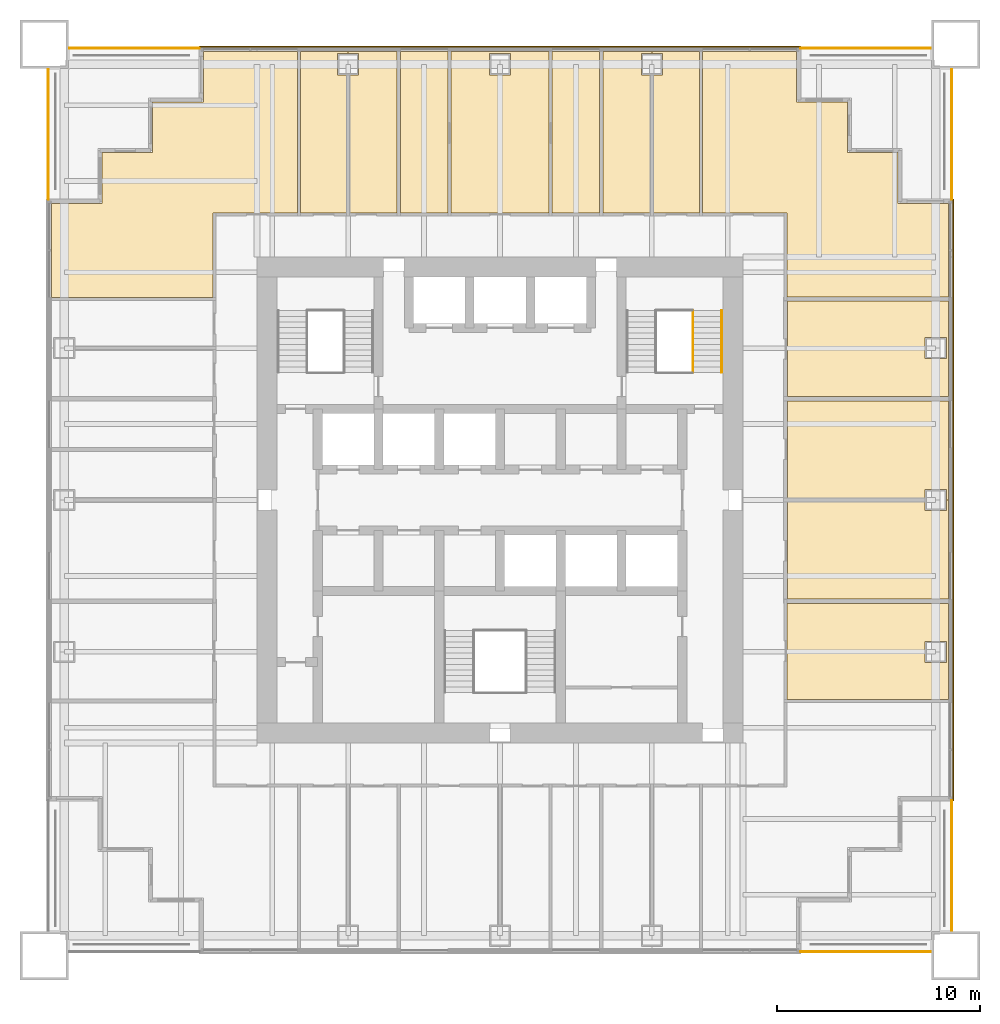
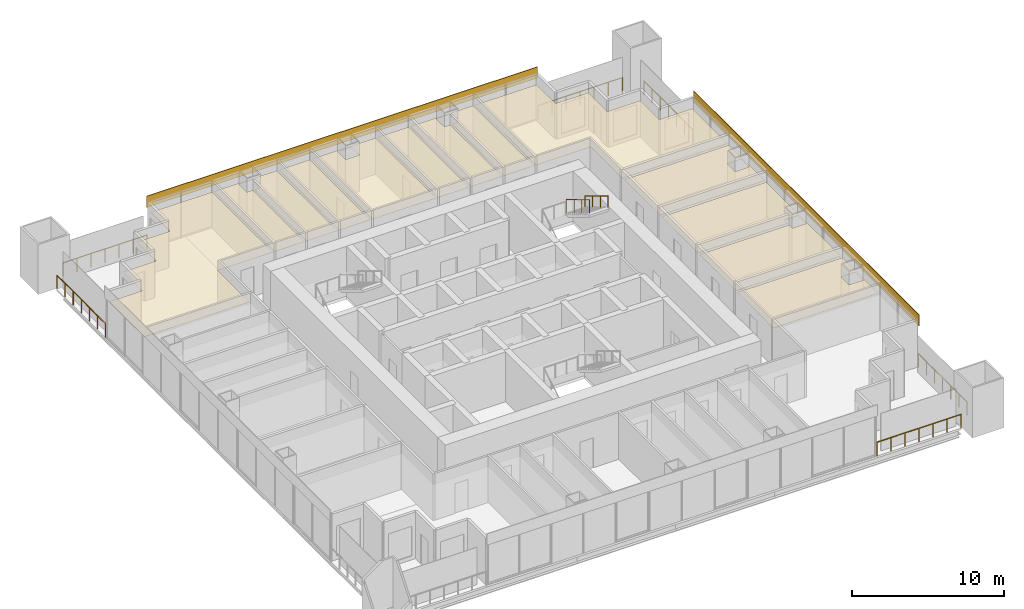
# One storey, part 14 of 14: 15 coverings, 8 railings.
"""IFC4 building model written with IfcOpenShell, lengths in metres."""

from ifc_helpers import new_model, si_unit, direction, frame, origin, origin_2d, place, context, subcontext, project, spatial, polyline, rectangle, circle, outline, extrude, material, layer, layer_set, type_object, element, save


model = new_model("IFC4")

# Units and contexts
model_context = context("Model", 3, precision=1e-05, world=origin(), true_north=direction((0.0, 1.0)))
body_context = subcontext(model_context, "Body", "Model", "MODEL_VIEW")
ifc_project = project(units=[si_unit("LENGTHUNIT", "METRE"), si_unit("AREAUNIT", "SQUARE_METRE"), si_unit("VOLUMEUNIT", "CUBIC_METRE"), si_unit("PLANEANGLEUNIT", "RADIAN"), si_unit("MASSUNIT", "GRAM", prefix="KILO")], contexts=[model_context])

# Site, building, storey
site_placement = place(None, origin())
site = spatial("IfcSite", under=ifc_project, at=site_placement, CompositionType="ELEMENT")
building_placement = place(site_placement, origin())
building = spatial("IfcBuilding", under=site, at=building_placement, Name="Tarangal Relay Tower", CompositionType="ELEMENT")
storey_placement = place(building_placement, frame((0.0, 0.0, 249.89990234375)))
storey = spatial("IfcBuildingStorey", under=building, at=storey_placement, Name="L54", CompositionType="ELEMENT", Elevation=249.89990234375)

# Coverings
ifc_material_1 = material(Name="Black anodised aluminium cladding", Category="aluminium")
ifc_layer_1 = layer(ifc_material_1, 0.050048828125)
ifc_layer_set_1 = layer_set([ifc_layer_1], Name="Black metal spandrel band")
covering_type_1 = type_object("IfcCoveringType", Name="Black metal spandrel band", PredefinedType="CLADDING", material=ifc_layer_set_1)
for number, where, z_axis, x_axis, name in (
    (1, (0.0, 22.375, 3.250244140625), (0.0, 0.0, 1.0), (1.0, 0.0, 0.0), "Spandrel band SB1 N L54"),
    (2, (22.375, 0.0, 3.250244140625), (0.0, 0.0, 1.0), (0.0, -1.0, 0.0), "Spandrel band SB1 E L54"),
):
    element("IfcCovering", number, at=place(storey_placement, frame(where, z_axis=z_axis, x_axis=x_axis)), inside=storey, type_object=covering_type_1, Name=name, PredefinedType="CLADDING", context=body_context, shape_type="SweptSolid", body=[
        extrude(rectangle(XDim=29.699951171875, YDim=0.050048828125, at=origin_2d()), origin(), (0.0, 0.0, 1.0), 0.89990234375),
    ])

# Railings
ifc_material_2 = material(Name="Steel guard, black finish", Category="steel")
railing_type_1 = type_object("IfcRailingType", Name="Stair guard 1100", PredefinedType="GUARDRAIL", material=ifc_material_2)
railing_1_placement = place(storey_placement, frame((9.530029296875, 9.346923828125, 2.166748046875)))
element("IfcRailing", 3, at=railing_1_placement, inside=storey, type_object=railing_type_1, Name="Stair ST-B guard GR1 L54 flight 2", PredefinedType="GUARDRAIL", context=body_context, shape_type="SweptSolid", body=[
    extrude(circle(Radius=0.02392578125, at=origin_2d()), frame((0.0, 0.0, 1.076171875), z_axis=(0.0, -0.85685617095, 0.515555527858), x_axis=(1.0, 0.0, 0.0)), (0.0, 0.0, 1.0), 3.555908203125),
    extrude(circle(Radius=0.02099609375, at=origin_2d()), origin(), (0.0, 0.0, 1.0), 1.052001953125),
    extrude(circle(Radius=0.02099609375, at=origin_2d()), frame((0.0, -1.015625, 0.611083984375)), (0.0, 0.0, 1.0), 1.052001953125),
    extrude(circle(Radius=0.02099609375, at=origin_2d()), frame((0.0, -2.03125, 1.22216796875)), (0.0, 0.0, 1.0), 1.052001953125),
    extrude(circle(Radius=0.02099609375, at=origin_2d()), frame((0.0, -3.046875, 1.833251953125)), (0.0, 0.0, 1.0), 1.052001953125),
])
ifc_material_3 = material(Name="Steel handrail, black finish", Category="steel")
railing_type_2 = type_object("IfcRailingType", Name="Stair handrail 900", PredefinedType="HANDRAIL", material=ifc_material_3)
railing_2_placement = place(storey_placement, frame((10.93994140625, 9.346923828125, 2.166748046875)))
element("IfcRailing", 4, at=railing_2_placement, inside=storey, type_object=railing_type_2, Name="Stair ST-B handrail HR1 L54 flight 2", PredefinedType="HANDRAIL", context=body_context, shape_type="SweptSolid", body=[
    extrude(circle(Radius=0.02392578125, at=origin_2d()), frame((0.0, 0.0, 0.8759765625), z_axis=(0.0, -0.85685617095, 0.515555527858), x_axis=(1.0, 0.0, 0.0)), (0.0, 0.0, 1.0), 3.555908203125),
    extrude(circle(Radius=0.02099609375, at=origin_2d()), origin(), (0.0, 0.0, 1.0), 0.851806640625),
    extrude(circle(Radius=0.02099609375, at=origin_2d()), frame((0.0, -1.015625, 0.611083984375)), (0.0, 0.0, 1.0), 0.851806640625),
    extrude(circle(Radius=0.02099609375, at=origin_2d()), frame((0.0, -2.03125, 1.22216796875)), (0.0, 0.0, 1.0), 0.851806640625),
    extrude(circle(Radius=0.02099609375, at=origin_2d()), frame((0.0, -3.046875, 1.833251953125)), (0.0, 0.0, 1.0), 0.851806640625),
])

# Coverings
ifc_material_4 = material(Name="Mineral fibre ceiling tiles", Category="gypsum")
ifc_layer_2 = layer(ifc_material_4, 0.02001953125)
ifc_layer_set_2 = layer_set([ifc_layer_2], Name="Suspended ceiling")
covering_type_2 = type_object("IfcCoveringType", Name="Suspended ceiling", PredefinedType="CEILING", material=ifc_layer_set_2)
covering_1_placement = place(storey_placement, frame((0.0, 0.0, 2.900146484375)))
element("IfcCovering", 5, at=covering_1_placement, inside=storey, type_object=covering_type_2, Name="Suspended ceiling CL1 L54-02", PredefinedType="CEILING", context=body_context, shape_type="SweptSolid", body=[
    extrude(outline(polyline([(-7.5, 22.14990234375), (-9.842041015625, 22.14990234375), (-9.842041015625, 14.175048828125), (-7.574951171875, 14.175048828125), (-7.574951171875, 20.989990234375), (-8.02490234375, 20.989990234375), (-8.02490234375, 22.0400390625), (-7.5, 22.0400390625), (-7.5, 22.14990234375)])), origin(), (0.0, 0.0, 1.0), 0.02001953125),
])
covering_2_placement = place(storey_placement, frame((0.0, 0.0, 2.900146484375)))
element("IfcCovering", 6, at=covering_2_placement, inside=storey, type_object=covering_type_2, Name="Suspended ceiling CL1 L54-03", PredefinedType="CEILING", context=body_context, shape_type="SweptSolid", body=[
    extrude(outline(polyline([(-5.074951171875, 22.14990234375), (-7.5, 22.14990234375), (-7.5, 22.0400390625), (-6.97509765625, 22.0400390625), (-6.97509765625, 20.989990234375), (-7.425048828125, 20.989990234375), (-7.425048828125, 14.175048828125), (-5.074951171875, 14.175048828125), (-5.074951171875, 22.14990234375)])), origin(), (0.0, 0.0, 1.0), 0.02001953125),
])
covering_3_placement = place(storey_placement, frame((0.0, 0.0, 2.900146484375)))
element("IfcCovering", 7, at=covering_3_placement, inside=storey, type_object=covering_type_2, Name="Suspended ceiling CL1 L54-04", PredefinedType="CEILING", context=body_context, shape_type="SweptSolid", body=[
    extrude(outline(polyline([(-4.925048828125, 22.14990234375), (-4.925048828125, 14.175048828125), (-2.574951171875, 14.175048828125), (-2.574951171875, 22.14990234375), (-4.925048828125, 22.14990234375)])), origin(), (0.0, 0.0, 1.0), 0.02001953125),
])
covering_4_placement = place(storey_placement, frame((0.0, 0.0, 2.900146484375)))
element("IfcCovering", 8, at=covering_4_placement, inside=storey, type_object=covering_type_2, Name="Suspended ceiling CL1 L54-05", PredefinedType="CEILING", context=body_context, shape_type="SweptSolid", body=[
    extrude(outline(polyline([(2.425048828125, 22.14990234375), (-2.425048828125, 22.14990234375), (-2.425048828125, 14.175048828125), (2.425048828125, 14.175048828125), (2.425048828125, 22.14990234375)]), holes=[polyline([(0.52490234375, 22.0400390625), (-0.52490234375, 22.0400390625), (-0.52490234375, 20.989990234375), (0.52490234375, 20.989990234375), (0.52490234375, 22.0400390625)])]), origin(), (0.0, 0.0, 1.0), 0.02001953125),
])
covering_5_placement = place(storey_placement, frame((0.0, 0.0, 2.900146484375)))
element("IfcCovering", 9, at=covering_5_placement, inside=storey, type_object=covering_type_2, Name="Suspended ceiling CL1 L54-06", PredefinedType="CEILING", context=body_context, shape_type="SweptSolid", body=[
    extrude(outline(polyline([(2.574951171875, 22.14990234375), (2.574951171875, 14.175048828125), (4.925048828125, 14.175048828125), (4.925048828125, 22.14990234375), (2.574951171875, 22.14990234375)])), origin(), (0.0, 0.0, 1.0), 0.02001953125),
])
covering_6_placement = place(storey_placement, frame((0.0, 0.0, 2.900146484375)))
element("IfcCovering", 10, at=covering_6_placement, inside=storey, type_object=covering_type_2, Name="Suspended ceiling CL1 L54-07", PredefinedType="CEILING", context=body_context, shape_type="SweptSolid", body=[
    extrude(outline(polyline([(7.5, 22.14990234375), (5.074951171875, 22.14990234375), (5.074951171875, 14.175048828125), (7.425048828125, 14.175048828125), (7.425048828125, 20.989990234375), (6.97509765625, 20.989990234375), (6.97509765625, 22.0400390625), (7.5, 22.0400390625), (7.5, 22.14990234375)])), origin(), (0.0, 0.0, 1.0), 0.02001953125),
])
covering_7_placement = place(storey_placement, frame((0.0, 0.0, 2.900146484375)))
element("IfcCovering", 11, at=covering_7_placement, inside=storey, type_object=covering_type_2, Name="Suspended ceiling CL1 L54-08", PredefinedType="CEILING", context=body_context, shape_type="SweptSolid", body=[
    extrude(outline(polyline([(9.842041015625, 22.14990234375), (7.5, 22.14990234375), (7.5, 22.0400390625), (8.02490234375, 22.0400390625), (8.02490234375, 20.989990234375), (7.574951171875, 20.989990234375), (7.574951171875, 14.175048828125), (9.842041015625, 14.175048828125), (9.842041015625, 22.14990234375)])), origin(), (0.0, 0.0, 1.0), 0.02001953125),
])
covering_8_placement = place(storey_placement, frame((0.0, 0.0, 2.900146484375)))
element("IfcCovering", 12, at=covering_8_placement, inside=storey, type_object=covering_type_2, Name="Suspended ceiling CL1 L54-09", PredefinedType="CEILING", context=body_context, shape_type="SweptSolid", body=[
    extrude(outline(polyline([(22.14990234375, 5.10009765625), (22.14990234375, 9.81689453125), (14.199951171875, 9.81689453125), (14.199951171875, 5.10009765625), (22.14990234375, 5.10009765625)]), holes=[polyline([(22.0400390625, 8.02490234375), (20.989990234375, 8.02490234375), (20.989990234375, 6.97509765625), (22.0400390625, 6.97509765625), (22.0400390625, 8.02490234375)])]), origin(), (0.0, 0.0, 1.0), 0.02001953125),
])
covering_9_placement = place(storey_placement, frame((0.0, 0.0, 2.900146484375)))
element("IfcCovering", 13, at=covering_9_placement, inside=storey, type_object=covering_type_2, Name="Suspended ceiling CL1 L54-10", PredefinedType="CEILING", context=body_context, shape_type="SweptSolid", body=[
    extrude(outline(polyline([(22.14990234375, 0.0), (22.14990234375, 4.89990234375), (14.199951171875, 4.89990234375), (14.199951171875, 0.10009765625), (20.989990234375, 0.10009765625), (20.989990234375, 0.52490234375), (22.0400390625, 0.52490234375), (22.0400390625, 0.0), (22.14990234375, 0.0)])), origin(), (0.0, 0.0, 1.0), 0.02001953125),
])
covering_10_placement = place(storey_placement, frame((0.0, 0.0, 2.900146484375)))
element("IfcCovering", 14, at=covering_10_placement, inside=storey, type_object=covering_type_2, Name="Suspended ceiling CL1 L54-11", PredefinedType="CEILING", context=body_context, shape_type="SweptSolid", body=[
    extrude(outline(polyline([(22.14990234375, -4.89990234375), (22.14990234375, 0.0), (22.0400390625, 0.0), (22.0400390625, -0.52490234375), (20.989990234375, -0.52490234375), (20.989990234375, -0.10009765625), (14.199951171875, -0.10009765625), (14.199951171875, -4.89990234375), (22.14990234375, -4.89990234375)])), origin(), (0.0, 0.0, 1.0), 0.02001953125),
])
covering_11_placement = place(storey_placement, frame((0.0, 0.0, 2.900146484375)))
element("IfcCovering", 15, at=covering_11_placement, inside=storey, type_object=covering_type_2, Name="Suspended ceiling CL1 L54-12", PredefinedType="CEILING", context=body_context, shape_type="SweptSolid", body=[
    extrude(outline(polyline([(22.14990234375, -9.842041015625), (22.14990234375, -5.10009765625), (14.175048828125, -5.10009765625), (14.175048828125, -9.842041015625), (22.14990234375, -9.842041015625)]), holes=[polyline([(22.0400390625, -6.97509765625), (20.989990234375, -6.97509765625), (20.989990234375, -8.02490234375), (22.0400390625, -8.02490234375), (22.0400390625, -6.97509765625)])]), origin(), (0.0, 0.0, 1.0), 0.02001953125),
])
covering_12_placement = place(storey_placement, frame((0.0, 0.0, 2.900146484375)))
element("IfcCovering", 16, at=covering_12_placement, inside=storey, type_object=covering_type_2, Name="Suspended ceiling CL1 L54-26", PredefinedType="CEILING", context=body_context, shape_type="SweptSolid", body=[
    extrude(outline(polyline([(14.64990234375, 22.14990234375), (9.991943359375, 22.14990234375), (9.991943359375, 14.175048828125), (14.175048828125, 14.175048828125), (14.175048828125, 10.01708984375), (22.14990234375, 10.01708984375), (22.14990234375, 14.64990234375), (19.64990234375, 14.64990234375), (19.64990234375, 17.14990234375), (17.14990234375, 17.14990234375), (17.14990234375, 19.64990234375), (14.64990234375, 19.64990234375), (14.64990234375, 22.14990234375)])), origin(), (0.0, 0.0, 1.0), 0.02001953125),
])
covering_13_placement = place(storey_placement, frame((0.0, 0.0, 2.900146484375)))
element("IfcCovering", 17, at=covering_13_placement, inside=storey, type_object=covering_type_2, Name="Suspended ceiling CL1 L54-29", PredefinedType="CEILING", context=body_context, shape_type="SweptSolid", body=[
    extrude(outline(polyline([(-19.64990234375, 14.64990234375), (-22.14990234375, 14.64990234375), (-22.14990234375, 9.991943359375), (-14.175048828125, 9.991943359375), (-14.175048828125, 14.175048828125), (-9.991943359375, 14.175048828125), (-9.991943359375, 22.14990234375), (-14.64990234375, 22.14990234375), (-14.64990234375, 19.64990234375), (-17.14990234375, 19.64990234375), (-17.14990234375, 17.14990234375), (-19.64990234375, 17.14990234375), (-19.64990234375, 14.64990234375)])), origin(), (0.0, 0.0, 1.0), 0.02001953125),
])

# Railings
ifc_material_5 = material(Name="Black steel guard with glass infill", Category="steel")
railing_type_3 = type_object("IfcRailingType", Name="Terrace guard 1100", PredefinedType="GUARDRAIL", material=ifc_material_5)
railing_3_placement = place(storey_placement, frame((14.85009765625, 22.300048828125, 0.0)))
element("IfcRailing", 18, at=railing_3_placement, inside=storey, type_object=railing_type_3, Name="Terrace guard GR2 NE L54", PredefinedType="GUARDRAIL", context=body_context, shape_type="SweptSolid", body=[
    extrude(circle(Radius=0.02392578125, at=origin_2d()), frame((0.0, 0.0, 1.076171875), z_axis=(1.0, 0.0, 0.0), x_axis=(0.0, 1.0, 0.0)), (0.0, 0.0, 1.0), 6.39990234375),
    extrude(circle(Radius=0.02099609375, at=origin_2d()), origin(), (0.0, 0.0, 1.0), 1.052001953125),
    extrude(circle(Radius=0.02099609375, at=origin_2d()), frame((1.066650390625, 0.0, 0.0)), (0.0, 0.0, 1.0), 1.052001953125),
    extrude(circle(Radius=0.02099609375, at=origin_2d()), frame((2.13330078125, 0.0, 0.0)), (0.0, 0.0, 1.0), 1.052001953125),
    extrude(circle(Radius=0.02099609375, at=origin_2d()), frame((3.199951171875, 0.0, 0.0)), (0.0, 0.0, 1.0), 1.052001953125),
    extrude(circle(Radius=0.02099609375, at=origin_2d()), frame((4.2666015625, 0.0, 0.0)), (0.0, 0.0, 1.0), 1.052001953125),
    extrude(circle(Radius=0.02099609375, at=origin_2d()), frame((5.333251953125, 0.0, 0.0)), (0.0, 0.0, 1.0), 1.052001953125),
    extrude(circle(Radius=0.02099609375, at=origin_2d()), frame((6.39990234375, 0.0, 0.0)), (0.0, 0.0, 1.0), 1.052001953125),
])
for number, where, name in (
    (19, (22.300048828125, 21.25, 0.0), "Terrace guard GR2 NE L54"),
    (20, (22.300048828125, -14.85009765625, 0.0), "Terrace guard GR2 SE L54"),
):
    element("IfcRailing", number, at=place(storey_placement, frame(where)), inside=storey, type_object=railing_type_3, Name=name, PredefinedType="GUARDRAIL", context=body_context, shape_type="SweptSolid", body=[
        extrude(circle(Radius=0.02392578125, at=origin_2d()), frame((0.0, 0.0, 1.076171875), z_axis=(0.0, -1.0, 0.0), x_axis=(1.0, 0.0, 0.0)), (0.0, 0.0, 1.0), 6.39990234375),
        extrude(circle(Radius=0.02099609375, at=origin_2d()), origin(), (0.0, 0.0, 1.0), 1.052001953125),
        extrude(circle(Radius=0.02099609375, at=origin_2d()), frame((0.0, -1.066650390625, 0.0)), (0.0, 0.0, 1.0), 1.052001953125),
        extrude(circle(Radius=0.02099609375, at=origin_2d()), frame((0.0, -2.13330078125, 0.0)), (0.0, 0.0, 1.0), 1.052001953125),
        extrude(circle(Radius=0.02099609375, at=origin_2d()), frame((0.0, -3.199951171875, 0.0)), (0.0, 0.0, 1.0), 1.052001953125),
        extrude(circle(Radius=0.02099609375, at=origin_2d()), frame((0.0, -4.2666015625, 0.0)), (0.0, 0.0, 1.0), 1.052001953125),
        extrude(circle(Radius=0.02099609375, at=origin_2d()), frame((0.0, -5.333251953125, 0.0)), (0.0, 0.0, 1.0), 1.052001953125),
        extrude(circle(Radius=0.02099609375, at=origin_2d()), frame((0.0, -6.39990234375, 0.0)), (0.0, 0.0, 1.0), 1.052001953125),
    ])
railing_4_placement = place(storey_placement, frame((21.25, -22.300048828125, 0.0)))
element("IfcRailing", 21, at=railing_4_placement, inside=storey, type_object=railing_type_3, Name="Terrace guard GR2 SE L54", PredefinedType="GUARDRAIL", context=body_context, shape_type="SweptSolid", body=[
    extrude(circle(Radius=0.02392578125, at=origin_2d()), frame((0.0, 0.0, 1.076171875), z_axis=(-1.0, 0.0, 0.0), x_axis=(0.0, -1.0, 0.0)), (0.0, 0.0, 1.0), 6.39990234375),
    extrude(circle(Radius=0.02099609375, at=origin_2d()), origin(), (0.0, 0.0, 1.0), 1.052001953125),
    extrude(circle(Radius=0.02099609375, at=origin_2d()), frame((-1.066650390625, 0.0, 0.0)), (0.0, 0.0, 1.0), 1.052001953125),
    extrude(circle(Radius=0.02099609375, at=origin_2d()), frame((-2.13330078125, 0.0, 0.0)), (0.0, 0.0, 1.0), 1.052001953125),
    extrude(circle(Radius=0.02099609375, at=origin_2d()), frame((-3.199951171875, 0.0, 0.0)), (0.0, 0.0, 1.0), 1.052001953125),
    extrude(circle(Radius=0.02099609375, at=origin_2d()), frame((-4.2666015625, 0.0, 0.0)), (0.0, 0.0, 1.0), 1.052001953125),
    extrude(circle(Radius=0.02099609375, at=origin_2d()), frame((-5.333251953125, 0.0, 0.0)), (0.0, 0.0, 1.0), 1.052001953125),
    extrude(circle(Radius=0.02099609375, at=origin_2d()), frame((-6.39990234375, 0.0, 0.0)), (0.0, 0.0, 1.0), 1.052001953125),
])
railing_5_placement = place(storey_placement, frame((-22.300048828125, 14.85009765625, 0.0)))
element("IfcRailing", 22, at=railing_5_placement, inside=storey, type_object=railing_type_3, Name="Terrace guard GR2 NW L54", PredefinedType="GUARDRAIL", context=body_context, shape_type="SweptSolid", body=[
    extrude(circle(Radius=0.02392578125, at=origin_2d()), frame((0.0, 0.0, 1.076171875), z_axis=(0.0, 1.0, 0.0), x_axis=(-1.0, 0.0, 0.0)), (0.0, 0.0, 1.0), 6.39990234375),
    extrude(circle(Radius=0.02099609375, at=origin_2d()), origin(), (0.0, 0.0, 1.0), 1.052001953125),
    extrude(circle(Radius=0.02099609375, at=origin_2d()), frame((0.0, 1.066650390625, 0.0)), (0.0, 0.0, 1.0), 1.052001953125),
    extrude(circle(Radius=0.02099609375, at=origin_2d()), frame((0.0, 2.13330078125, 0.0)), (0.0, 0.0, 1.0), 1.052001953125),
    extrude(circle(Radius=0.02099609375, at=origin_2d()), frame((0.0, 3.199951171875, 0.0)), (0.0, 0.0, 1.0), 1.052001953125),
    extrude(circle(Radius=0.02099609375, at=origin_2d()), frame((0.0, 4.2666015625, 0.0)), (0.0, 0.0, 1.0), 1.052001953125),
    extrude(circle(Radius=0.02099609375, at=origin_2d()), frame((0.0, 5.333251953125, 0.0)), (0.0, 0.0, 1.0), 1.052001953125),
    extrude(circle(Radius=0.02099609375, at=origin_2d()), frame((0.0, 6.39990234375, 0.0)), (0.0, 0.0, 1.0), 1.052001953125),
])
railing_6_placement = place(storey_placement, frame((-21.25, 22.300048828125, 0.0)))
element("IfcRailing", 23, at=railing_6_placement, inside=storey, type_object=railing_type_3, Name="Terrace guard GR2 NW L54", PredefinedType="GUARDRAIL", context=body_context, shape_type="SweptSolid", body=[
    extrude(circle(Radius=0.02392578125, at=origin_2d()), frame((0.0, 0.0, 1.076171875), z_axis=(1.0, 0.0, 0.0), x_axis=(0.0, 1.0, 0.0)), (0.0, 0.0, 1.0), 6.39990234375),
    extrude(circle(Radius=0.02099609375, at=origin_2d()), origin(), (0.0, 0.0, 1.0), 1.052001953125),
    extrude(circle(Radius=0.02099609375, at=origin_2d()), frame((1.066650390625, 0.0, 0.0)), (0.0, 0.0, 1.0), 1.052001953125),
    extrude(circle(Radius=0.02099609375, at=origin_2d()), frame((2.13330078125, 0.0, 0.0)), (0.0, 0.0, 1.0), 1.052001953125),
    extrude(circle(Radius=0.02099609375, at=origin_2d()), frame((3.199951171875, 0.0, 0.0)), (0.0, 0.0, 1.0), 1.052001953125),
    extrude(circle(Radius=0.02099609375, at=origin_2d()), frame((4.2666015625, 0.0, 0.0)), (0.0, 0.0, 1.0), 1.052001953125),
    extrude(circle(Radius=0.02099609375, at=origin_2d()), frame((5.333251953125, 0.0, 0.0)), (0.0, 0.0, 1.0), 1.052001953125),
    extrude(circle(Radius=0.02099609375, at=origin_2d()), frame((6.39990234375, 0.0, 0.0)), (0.0, 0.0, 1.0), 1.052001953125),
])

save(model, "model.ifc")
